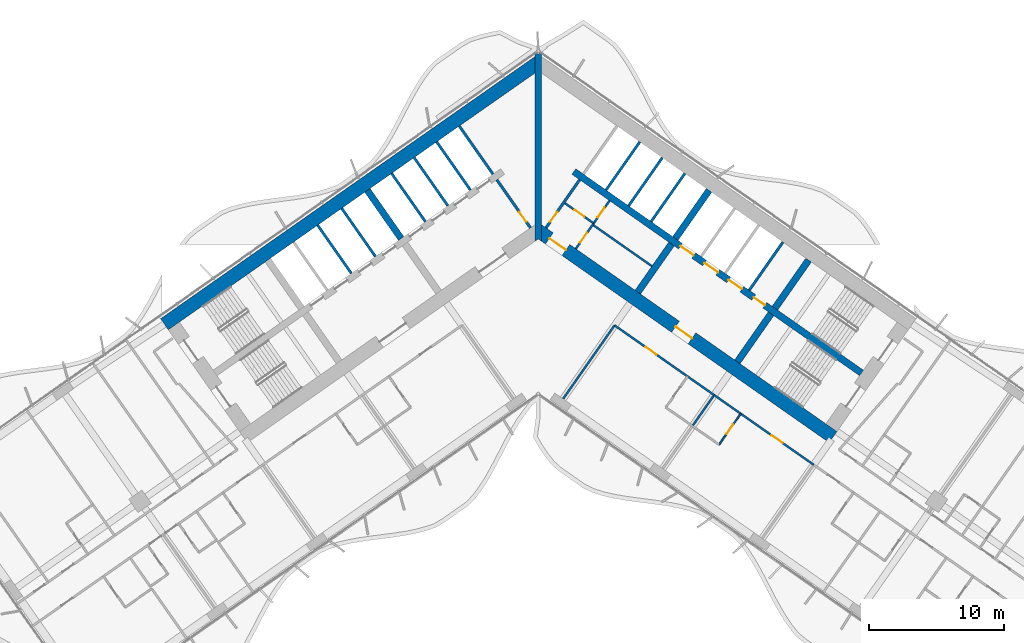
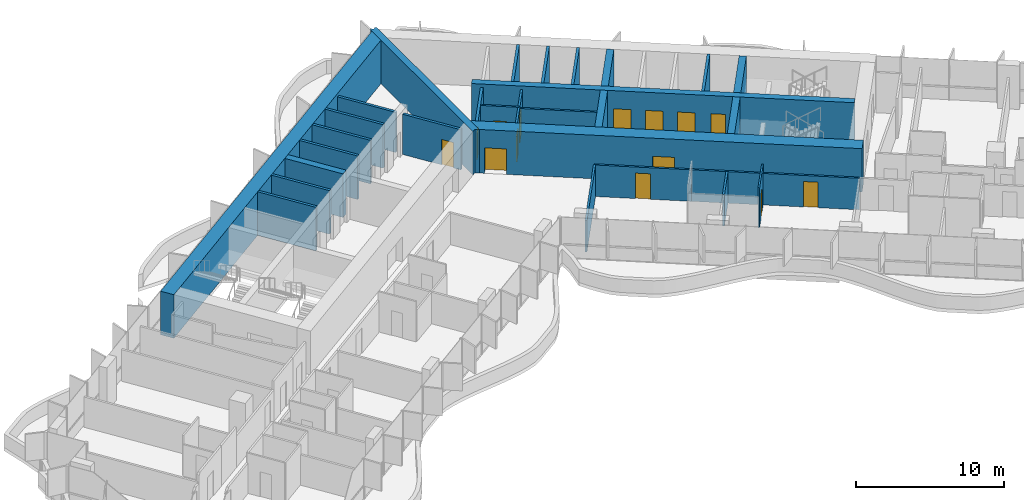
# One storey, part 15 of 24: 31 walls, 14 doors, 14 openings.
"""IFC4 building model written with IfcOpenShell, lengths in metres."""

from ifc_helpers import new_model, si_unit, direction, frame, frame_2d, origin, place, context, subcontext, project, spatial, polyline, rectangle, outline, extrude, material, layer, layer_set, type_object, element, fill, save


model = new_model("IFC4")

# Units and contexts
model_context = context("Model", 3, precision=1e-05, world=origin(), true_north=direction((0.0, 1.0)))
body_context = subcontext(model_context, "Body", "Model", "MODEL_VIEW")
ifc_project = project(units=[si_unit("LENGTHUNIT", "METRE"), si_unit("AREAUNIT", "SQUARE_METRE"), si_unit("VOLUMEUNIT", "CUBIC_METRE"), si_unit("PLANEANGLEUNIT", "RADIAN"), si_unit("MASSUNIT", "GRAM", prefix="KILO")], contexts=[model_context])

# Site, building, storey
site_placement = place(None, origin())
site = spatial("IfcSite", under=ifc_project, at=site_placement, CompositionType="ELEMENT")
building_placement = place(site_placement, origin())
building = spatial("IfcBuilding", under=site, at=building_placement, Name="Tel Ilan Convention Tower", CompositionType="ELEMENT")
storey_placement = place(building_placement, frame((0.0, 0.0, 72.5)))
storey = spatial("IfcBuildingStorey", under=building, at=storey_placement, Name="L13", CompositionType="ELEMENT", Elevation=72.5)

# Wall, openings, doors
ifc_material_1 = material(Name="Gypsum Plasterboard on Steel Stud", Category="steel")
ifc_layer_1 = layer(ifc_material_1, 0.14990234375)
ifc_layer_set_1 = layer_set([ifc_layer_1], Name="Core Room Partition Wall 150 mm EI 60")
wall_type_1 = type_object("IfcWallType", Name="Core Room Partition Wall 150 mm EI 60", PredefinedType="PARTITIONING", material=ifc_layer_set_1)
wall_1_placement = place(storey_placement, frame((2.78515625, -1.9501953125, 0.0), z_axis=(0.0, 0.0, 1.0), x_axis=(0.57356780395, 0.819158088694, 0.0)))
wall_1 = element("IfcWall", 1, at=wall_1_placement, inside=storey, type_object=wall_type_1, Name="L13 core wall wc-v1", PredefinedType="PARTITIONING", context=body_context, shape_type="SweptSolid", body=[
    extrude(rectangle(XDim=4.35009765625, YDim=0.14990234375, at=frame_2d((2.175048828125, 0.0))), origin(), (0.0, 0.0, 1.0), 3.320068359375),
])
opening_1_placement = place(wall_1_placement, frame((0.550048828125, 0.0, 0.0)))
opening_1 = element("IfcOpeningElement", 2, at=opening_1_placement, cuts=wall_1, Name="Opening CD1309", PredefinedType="OPENING", context=body_context, shape_type="SweptSolid", body=[
    extrude(rectangle(XDim=0.89990234375, YDim=2.10009765625, at=frame_2d((0.449951171875, 1.050048828125))), frame((0.0, 0.0849609375, 0.0), z_axis=(0.0, -1.0, 0.0), x_axis=(1.0, 0.0, 0.0)), (0.0, 0.0, 1.0), 0.169921875),
])
opening_2_placement = place(wall_1_placement, frame((2.824951171875, 0.0, 0.0)))
opening_2 = element("IfcOpeningElement", 3, at=opening_2_placement, cuts=wall_1, Name="Opening CD1310", PredefinedType="OPENING", context=body_context, shape_type="SweptSolid", body=[
    extrude(rectangle(XDim=0.89990234375, YDim=2.10009765625, at=frame_2d((0.449951171875, 1.050048828125))), frame((0.0, 0.0849609375, 0.0), z_axis=(0.0, -1.0, 0.0), x_axis=(1.0, 0.0, 0.0)), (0.0, 0.0, 1.0), 0.169921875),
])
ifc_material_2 = material(Name="Laminated Timber Door Leaf", Category="wood")
door_type_1 = type_object("IfcDoorType", Name="Toilet Door 900 x 2100 FD30S", OperationType="NOTDEFINED", PredefinedType="DOOR", material=ifc_material_2)
door_1_placement = place(opening_1_placement, origin())
door_1 = element("IfcDoor", 4, at=door_1_placement, inside=storey, type_object=door_type_1, Name="Women's WC door", OperationType="SINGLE_SWING_RIGHT", OverallHeight=2.10009765625, OverallWidth=0.89990234375, PredefinedType="DOOR", context=body_context, shape_type="SweptSolid", body=[
    extrude(rectangle(XDim=0.89990234375, YDim=2.10009765625, at=frame_2d((0.449951171875, 1.050048828125))), frame((0.0, 0.02490234375, 0.0), z_axis=(0.0, -1.0, 0.0), x_axis=(1.0, 0.0, 0.0)), (0.0, 0.0, 1.0), 0.050048828125),
])
fill(opening_1, door_1)
door_2_placement = place(opening_2_placement, origin())
door_2 = element("IfcDoor", 5, at=door_2_placement, inside=storey, type_object=door_type_1, Name="Men's WC door", OperationType="SINGLE_SWING_RIGHT", OverallHeight=2.10009765625, OverallWidth=0.89990234375, PredefinedType="DOOR", context=body_context, shape_type="SweptSolid", body=[
    extrude(rectangle(XDim=0.89990234375, YDim=2.10009765625, at=frame_2d((0.449951171875, 1.050048828125))), frame((0.0, 0.02490234375, 0.0), z_axis=(0.0, -1.0, 0.0), x_axis=(1.0, 0.0, 0.0)), (0.0, 0.0, 1.0), 0.050048828125),
])
fill(opening_2, door_2)

# Wall, opening, door
wall_2_placement = place(storey_placement, frame((1.974609375, 1.42529296875, 0.0), z_axis=(0.0, 0.0, 1.0), x_axis=(0.819103967032, -0.573645091666, 0.0)))
wall_2 = element("IfcWall", 6, at=wall_2_placement, inside=storey, type_object=wall_type_1, Name="L13 core wall wc-h1", PredefinedType="PARTITIONING", context=body_context, shape_type="SweptSolid", body=[
    extrude(rectangle(XDim=2.599853515625, YDim=0.14990234375, at=frame_2d((1.2998046875, 0.0))), origin(), (0.0, 0.0, 1.0), 3.320068359375),
])
opening_3_placement = place(wall_2_placement, frame((0.85009765625, 0.0, 0.0)))
opening_3 = element("IfcOpeningElement", 7, at=opening_3_placement, cuts=wall_2, Name="Opening CD1308", PredefinedType="OPENING", context=body_context, shape_type="SweptSolid", body=[
    extrude(rectangle(XDim=0.89990234375, YDim=2.10009765625, at=frame_2d((0.449951171875, 1.050048828125))), frame((0.0, 0.0849609375, 0.0), z_axis=(0.0, -1.0, 0.0), x_axis=(1.0, 0.0, 0.0)), (0.0, 0.0, 1.0), 0.169921875),
])
door_3_placement = place(opening_3_placement, origin())
door_3 = element("IfcDoor", 8, at=door_3_placement, inside=storey, type_object=door_type_1, Name="Accessible WC door", OperationType="SINGLE_SWING_RIGHT", OverallHeight=2.10009765625, OverallWidth=0.89990234375, PredefinedType="DOOR", context=body_context, shape_type="SweptSolid", body=[
    extrude(rectangle(XDim=0.89990234375, YDim=2.10009765625, at=frame_2d((0.449951171875, 1.050048828125))), frame((0.0, 0.02490234375, 0.0), z_axis=(0.0, -1.0, 0.0), x_axis=(1.0, 0.0, 0.0)), (0.0, 0.0, 1.0), 0.050048828125),
])
fill(opening_3, door_3)

# Wall
wall_3_placement = place(storey_placement, frame((4.03271484375, -0.16845703125, 0.0), z_axis=(0.0, 0.0, 1.0), x_axis=(0.819146154531, -0.573584847705, 0.0)))
element("IfcWall", 9, at=wall_3_placement, inside=storey, type_object=wall_type_1, Name="L13 core wall wc-h2", PredefinedType="PARTITIONING", context=body_context, shape_type="SweptSolid", body=[
    extrude(rectangle(XDim=5.349853515625, YDim=0.14990234375, at=frame_2d((2.6748046875, 0.0))), origin(), (0.0, 0.0, 1.0), 3.320068359375),
])

# Wall, opening, door
ifc_material_3 = material(Name="Concrete C30/37", Category="concrete")
ifc_layer_2 = layer(ifc_material_3, 0.199951171875)
ifc_layer_set_2 = layer_set([ifc_layer_2], Name="Core Service Room Wall 200 mm C30/37")
wall_type_2 = type_object("IfcWallType", Name="Core Service Room Wall 200 mm C30/37", PredefinedType="SOLIDWALL", material=ifc_layer_set_2)
wall_4_placement = place(storey_placement, frame((-0.573486328125, -0.401611328125, 0.0), z_axis=(0.0, 0.0, 1.0), x_axis=(-0.57356780395, 0.819158088694, 0.0)))
wall_4 = element("IfcWall", 10, at=wall_4_placement, inside=storey, type_object=wall_type_2, Name="L13 core wall apex-W", PredefinedType="SOLIDWALL", context=body_context, shape_type="SweptSolid", body=[
    extrude(rectangle(XDim=4.35009765625, YDim=0.199951171875, at=frame_2d((2.175048828125, 0.0))), origin(), (0.0, 0.0, 1.0), 3.320068359375),
])
opening_4_placement = place(wall_4_placement, frame((0.550048828125, 0.0, 0.0)))
opening_4 = element("IfcOpeningElement", 11, at=opening_4_placement, cuts=wall_4, Name="Opening CD1302", PredefinedType="OPENING", context=body_context, shape_type="SweptSolid", body=[
    extrude(rectangle(XDim=0.89990234375, YDim=2.10009765625, at=frame_2d((0.449951171875, 1.050048828125))), frame((0.0, 0.10986328125, 0.0), z_axis=(0.0, -1.0, 0.0), x_axis=(1.0, 0.0, 0.0)), (0.0, 0.0, 1.0), 0.219970703125),
])
ifc_material_4 = material(Name="Galvanised Steel Door Leaf", Category="steel")
door_type_2 = type_object("IfcDoorType", Name="Service Room Door 900 x 2100 FD60", OperationType="NOTDEFINED", PredefinedType="DOOR", material=ifc_material_4)
door_4_placement = place(opening_4_placement, origin())
door_4 = element("IfcDoor", 12, at=door_4_placement, inside=storey, type_object=door_type_2, Name="Electrical Room door", OperationType="SINGLE_SWING_RIGHT", OverallHeight=2.10009765625, OverallWidth=0.89990234375, PredefinedType="DOOR", context=body_context, shape_type="SweptSolid", body=[
    extrude(rectangle(XDim=0.89990234375, YDim=2.10009765625, at=frame_2d((0.449951171875, 1.050048828125))), frame((0.0, 0.02490234375, 0.0), z_axis=(0.0, -1.0, 0.0), x_axis=(1.0, 0.0, 0.0)), (0.0, 0.0, 1.0), 0.050048828125),
])
fill(opening_4, door_4)

# Wall
wall_5_placement = place(storey_placement, frame((-3.355224609375, 3.5712890625, 0.0), z_axis=(0.0, 0.0, 1.0), x_axis=(-0.57356780395, 0.819158088694, 0.0)))
element("IfcWall", 13, at=wall_5_placement, inside=storey, type_object=wall_type_2, Name="L13 core wall apex-W-b", PredefinedType="SOLIDWALL", context=body_context, shape_type="SweptSolid", body=[
    extrude(rectangle(XDim=4.35009765625, YDim=0.199951171875, at=frame_2d((2.175048828125, 0.0))), origin(), (0.0, 0.0, 1.0), 3.320068359375),
])

# Wall, opening, door
wall_6_placement = place(storey_placement, frame((0.573486328125, -0.401611328125, 0.0), z_axis=(0.0, 0.0, 1.0), x_axis=(0.57356780395, 0.819158088694, 0.0)))
wall_6 = element("IfcWall", 14, at=wall_6_placement, inside=storey, type_object=wall_type_2, Name="L13 core wall apex-E", PredefinedType="SOLIDWALL", context=body_context, shape_type="SweptSolid", body=[
    extrude(rectangle(XDim=4.35009765625, YDim=0.199951171875, at=frame_2d((2.175048828125, 0.0))), origin(), (0.0, 0.0, 1.0), 3.320068359375),
])
opening_5_placement = place(wall_6_placement, frame((0.550048828125, 0.0, 0.0)))
opening_5 = element("IfcOpeningElement", 15, at=opening_5_placement, cuts=wall_6, Name="Opening CD1301", PredefinedType="OPENING", context=body_context, shape_type="SweptSolid", body=[
    extrude(rectangle(XDim=0.89990234375, YDim=2.10009765625, at=frame_2d((0.449951171875, 1.050048828125))), frame((0.0, 0.10986328125, 0.0), z_axis=(0.0, -1.0, 0.0), x_axis=(1.0, 0.0, 0.0)), (0.0, 0.0, 1.0), 0.219970703125),
])
door_5_placement = place(opening_5_placement, origin())
door_5 = element("IfcDoor", 16, at=door_5_placement, inside=storey, type_object=door_type_2, Name="Store Room door", OperationType="SINGLE_SWING_RIGHT", OverallHeight=2.10009765625, OverallWidth=0.89990234375, PredefinedType="DOOR", context=body_context, shape_type="SweptSolid", body=[
    extrude(rectangle(XDim=0.89990234375, YDim=2.10009765625, at=frame_2d((0.449951171875, 1.050048828125))), frame((0.0, 0.02490234375, 0.0), z_axis=(0.0, -1.0, 0.0), x_axis=(1.0, 0.0, 0.0)), (0.0, 0.0, 1.0), 0.050048828125),
])
fill(opening_5, door_5)

# Wall
ifc_material_5 = material(Name="Concrete C60/75", Category="concrete")
ifc_layer_3 = layer(ifc_material_5, 1.0)
ifc_layer_set_3 = layer_set([ifc_layer_3], Name="Core Shear Wall 1000 mm C60/75")
wall_type_3 = type_object("IfcWallType", Name="Core Shear Wall 1000 mm C60/75", PredefinedType="SHEAR", material=ifc_layer_set_3)
wall_7_placement = place(storey_placement, frame((0.036865234375, 11.8671875, 0.0), z_axis=(0.0, 0.0, 1.0), x_axis=(-0.819155306259, -0.573571777746, 0.0)))
element("IfcWall", 17, at=wall_7_placement, inside=storey, type_object=wall_type_3, Name="L13 core wall W-back", PredefinedType="SHEAR", context=body_context, shape_type="SweptSolid", body=[
    extrude(outline(polyline([(33.8369140625, 0.5), (0.7001953125, 0.499755859375), (0.0, -0.5), (33.8369140625, -0.5), (33.8369140625, 0.5)])), origin(), (0.0, 0.0, 1.0), 3.60009765625),
])

# Wall, openings, doors
wall_8_placement = place(storey_placement, frame((-0.036865234375, -0.584716796875, 0.0), z_axis=(0.0, 0.0, 1.0), x_axis=(0.819157152511, -0.573569140985, 0.0)))
wall_8 = element("IfcWall", 18, at=wall_8_placement, inside=storey, type_object=wall_type_3, Name="L13 core wall E-front", PredefinedType="SHEAR", context=body_context, shape_type="SweptSolid", body=[
    extrude(outline(polyline([(26.69482421875, 0.499755859375), (0.0, 0.5), (0.7001953125, -0.499755859375), (26.69482421875, -0.500244140625), (26.69482421875, 0.499755859375)])), origin(), (0.0, 0.0, 1.0), 3.60009765625),
])
opening_6_placement = place(wall_8_placement, frame((1.044921875, 0.0, 0.0)))
opening_6 = element("IfcOpeningElement", 19, at=opening_6_placement, cuts=wall_8, Name="Opening CD1303", PredefinedType="OPENING", context=body_context, shape_type="SweptSolid", body=[
    extrude(rectangle(XDim=1.5, YDim=2.10009765625, at=frame_2d((0.75, 1.050048828125))), frame((0.0, 0.510009765625, 0.0), z_axis=(0.0, -1.0, 0.0), x_axis=(1.0, 0.0, 0.0)), (0.0, 0.0, 1.0), 1.02001953125),
])
opening_7_placement = place(wall_8_placement, frame((12.44482421875, 0.0, 0.0)))
opening_7 = element("IfcOpeningElement", 20, at=opening_7_placement, cuts=wall_8, Name="Opening CD1304", PredefinedType="OPENING", context=body_context, shape_type="SweptSolid", body=[
    extrude(rectangle(XDim=1.5, YDim=2.10009765625, at=frame_2d((0.75, 1.050048828125))), frame((0.0, 0.510009765625, 0.0), z_axis=(0.0, -1.0, 0.0), x_axis=(1.0, 0.0, 0.0)), (0.0, 0.0, 1.0), 1.02001953125),
])
ifc_material_6 = material(Name="Glazed Aluminium Door Leaf", Category="aluminium")
door_type_3 = type_object("IfcDoorType", Name="Lobby Opening Door 1500 x 2100 FD60S", OperationType="NOTDEFINED", PredefinedType="DOOR", material=ifc_material_6)
door_6_placement = place(opening_7_placement, origin())
door_6 = element("IfcDoor", 21, at=door_6_placement, inside=storey, type_object=door_type_3, Name="Firefighting Lobby door", OperationType="DOUBLE_DOOR_SINGLE_SWING", OverallHeight=2.10009765625, OverallWidth=1.5, PredefinedType="DOOR", context=body_context, shape_type="SweptSolid", body=[
    extrude(rectangle(XDim=1.5, YDim=2.10009765625, at=frame_2d((0.75, 1.050048828125))), frame((0.0, 0.02490234375, 0.0), z_axis=(0.0, -1.0, 0.0), x_axis=(1.0, 0.0, 0.0)), (0.0, 0.0, 1.0), 0.050048828125),
])
fill(opening_7, door_6)
ifc_material_7 = material(Name="Laminated Timber Door Leaf", Category="wood")
door_type_4 = type_object("IfcDoorType", Name="Toilet Door 1500 x 2100 FD30S", OperationType="NOTDEFINED", PredefinedType="DOOR", material=ifc_material_7)
door_7_placement = place(opening_6_placement, origin())
door_7 = element("IfcDoor", 22, at=door_7_placement, inside=storey, type_object=door_type_4, Name="WC Lobby door", OperationType="SINGLE_SWING_RIGHT", OverallHeight=2.10009765625, OverallWidth=1.5, PredefinedType="DOOR", context=body_context, shape_type="SweptSolid", body=[
    extrude(rectangle(XDim=1.5, YDim=2.10009765625, at=frame_2d((0.75, 1.050048828125))), frame((0.0, 0.02490234375, 0.0), z_axis=(0.0, -1.0, 0.0), x_axis=(1.0, 0.0, 0.0)), (0.0, 0.0, 1.0), 0.050048828125),
])
fill(opening_6, door_7)

# Walls
ifc_material_8 = material(Name="Concrete C60/75", Category="concrete")
ifc_layer_4 = layer(ifc_material_8, 0.5)
ifc_layer_set_4 = layer_set([ifc_layer_4], Name="Core Shear Wall 500 mm C60/75")
wall_type_4 = type_object("IfcWallType", Name="Core Shear Wall 500 mm C60/75", PredefinedType="SHEAR", material=ifc_layer_set_4)
wall_9_placement = place(storey_placement, frame((-10.154296875, -1.189208984375, 0.0), z_axis=(0.0, 0.0, 1.0), x_axis=(-0.573594173421, 0.819139624372, 0.0)))
element("IfcWall", 23, at=wall_9_placement, inside=storey, type_object=wall_type_4, Name="L13 core wall W-cross1-2", PredefinedType="SHEAR", context=body_context, shape_type="SweptSolid", body=[
    extrude(outline(polyline([(4.349853515625, -0.25), (4.349853515625, 0.25), (-0.000244140625, 0.25), (-0.000244140625, -0.25), (4.349853515625, -0.25)])), origin(), (0.0, 0.0, 1.0), 3.60009765625),
])
wall_10_placement = place(storey_placement, frame((7.372314453125, -5.162109375, 0.0), z_axis=(0.0, 0.0, 1.0), x_axis=(0.573594173421, 0.819139624372, 0.0)))
element("IfcWall", 24, at=wall_10_placement, inside=storey, type_object=wall_type_4, Name="L13 core wall E-cross1-1", PredefinedType="SHEAR", context=body_context, shape_type="SweptSolid", body=[
    extrude(outline(polyline([(0.0, 0.25), (0.0, -0.250244140625), (4.349853515625, -0.25), (4.349853515625, 0.25), (0.0, 0.25)])), origin(), (0.0, 0.0, 1.0), 3.60009765625),
])
wall_11_placement = place(storey_placement, frame((10.154296875, -1.189208984375, 0.0), z_axis=(0.0, 0.0, 1.0), x_axis=(0.573594173421, 0.819139624372, 0.0)))
element("IfcWall", 25, at=wall_11_placement, inside=storey, type_object=wall_type_4, Name="L13 core wall E-cross1-2", PredefinedType="SHEAR", context=body_context, shape_type="SweptSolid", body=[
    extrude(outline(polyline([(4.349853515625, -0.25), (4.349853515625, 0.25), (-0.000244140625, 0.25), (-0.000244140625, -0.25), (4.349853515625, -0.25)])), origin(), (0.0, 0.0, 1.0), 3.60009765625),
])
wall_12_placement = place(storey_placement, frame((14.74462890625, -10.324462890625, 0.0), z_axis=(0.0, 0.0, 1.0), x_axis=(0.57356780395, 0.819158088694, 0.0)))
element("IfcWall", 26, at=wall_12_placement, inside=storey, type_object=wall_type_4, Name="L13 core wall E-cross2-1", PredefinedType="SHEAR", context=body_context, shape_type="SweptSolid", body=[
    extrude(outline(polyline([(0.0, 0.25), (0.0, -0.25), (4.35009765625, -0.250244140625), (4.35009765625, 0.25), (0.0, 0.25)])), origin(), (0.0, 0.0, 1.0), 3.60009765625),
])
wall_13_placement = place(storey_placement, frame((17.526611328125, -6.3515625, 0.0), z_axis=(0.0, 0.0, 1.0), x_axis=(0.573530143085, 0.819184457233, 0.0)))
element("IfcWall", 27, at=wall_13_placement, inside=storey, type_object=wall_type_4, Name="L13 core wall E-cross2-2", PredefinedType="SHEAR", context=body_context, shape_type="SweptSolid", body=[
    extrude(outline(polyline([(4.35009765625, -0.250244140625), (4.35009765625, 0.249755859375), (0.0, 0.25), (0.0, -0.25), (4.35009765625, -0.250244140625)])), origin(), (0.0, 0.0, 1.0), 3.60009765625),
])

# Wall, openings, doors
wall_14_placement = place(storey_placement, frame((2.638427734375, 3.76806640625, 0.0), z_axis=(0.0, 0.0, 1.0), x_axis=(0.819148977158, -0.573580816643, 0.0)))
wall_14 = element("IfcWall", 28, at=wall_14_placement, inside=storey, type_object=wall_type_4, Name="L13 core wall E-spine", PredefinedType="SHEAR", context=body_context, shape_type="SweptSolid", body=[
    extrude(outline(polyline([(0.0, 0.25), (0.0, -0.25), (26.0, -0.249755859375), (26.0, 0.250244140625), (0.0, 0.25)])), origin(), (0.0, 0.0, 1.0), 3.60009765625),
])
opening_8_placement = place(wall_14_placement, frame((9.637451171875, 0.0, 0.0)))
opening_8 = element("IfcOpeningElement", 29, at=opening_8_placement, cuts=wall_14, Name="Opening LD1301", PredefinedType="OPENING", context=body_context, shape_type="SweptSolid", body=[
    extrude(rectangle(XDim=1.199951171875, YDim=2.10009765625, at=frame_2d((0.60009765625, 1.050048828125))), frame((0.0, 0.260009765625, 0.0), z_axis=(0.0, -1.0, 0.0), x_axis=(1.0, 0.0, 0.0)), (0.0, 0.0, 1.0), 0.52001953125),
])
opening_9_placement = place(wall_14_placement, frame((11.8125, 0.0, 0.0)))
opening_9 = element("IfcOpeningElement", 30, at=opening_9_placement, cuts=wall_14, Name="Opening LD1302", PredefinedType="OPENING", context=body_context, shape_type="SweptSolid", body=[
    extrude(rectangle(XDim=1.199951171875, YDim=2.10009765625, at=frame_2d((0.60009765625, 1.050048828125))), frame((0.0, 0.260009765625, 0.0), z_axis=(0.0, -1.0, 0.0), x_axis=(1.0, 0.0, 0.0)), (0.0, 0.0, 1.0), 0.52001953125),
])
opening_10_placement = place(wall_14_placement, frame((13.987548828125, 0.0, 0.0)))
opening_10 = element("IfcOpeningElement", 31, at=opening_10_placement, cuts=wall_14, Name="Opening LD1303", PredefinedType="OPENING", context=body_context, shape_type="SweptSolid", body=[
    extrude(rectangle(XDim=1.199951171875, YDim=2.10009765625, at=frame_2d((0.60009765625, 1.050048828125))), frame((0.0, 0.260009765625, 0.0), z_axis=(0.0, -1.0, 0.0), x_axis=(1.0, 0.0, 0.0)), (0.0, 0.0, 1.0), 0.52001953125),
])
opening_11_placement = place(wall_14_placement, frame((16.262451171875, 0.0, 0.0)))
opening_11 = element("IfcOpeningElement", 32, at=opening_11_placement, cuts=wall_14, Name="Opening CD1307", PredefinedType="OPENING", context=body_context, shape_type="SweptSolid", body=[
    extrude(rectangle(XDim=1.0, YDim=2.10009765625, at=frame_2d((0.5, 1.050048828125))), frame((0.0, 0.260009765625, 0.0), z_axis=(0.0, -1.0, 0.0), x_axis=(1.0, 0.0, 0.0)), (0.0, 0.0, 1.0), 0.52001953125),
])
ifc_material_9 = material(Name="Stainless Steel Sliding Door Leaf", Category="steel")
door_type_5 = type_object("IfcDoorType", Name="Lift Landing Door 1200 x 2100 FD120", OperationType="NOTDEFINED", PredefinedType="DOOR", material=ifc_material_9)
door_8_placement = place(opening_8_placement, origin())
door_8 = element("IfcDoor", 33, at=door_8_placement, inside=storey, type_object=door_type_5, Name="Lift FL1 landing door", OperationType="SLIDING_TO_LEFT", OverallHeight=2.10009765625, OverallWidth=1.199951171875, PredefinedType="DOOR", context=body_context, shape_type="SweptSolid", body=[
    extrude(rectangle(XDim=1.199951171875, YDim=2.10009765625, at=frame_2d((0.60009765625, 1.050048828125))), frame((0.0, 0.02490234375, 0.0), z_axis=(0.0, -1.0, 0.0), x_axis=(1.0, 0.0, 0.0)), (0.0, 0.0, 1.0), 0.050048828125),
])
fill(opening_8, door_8)
door_9_placement = place(opening_9_placement, origin())
door_9 = element("IfcDoor", 34, at=door_9_placement, inside=storey, type_object=door_type_5, Name="Lift FL2 landing door", OperationType="SLIDING_TO_RIGHT", OverallHeight=2.10009765625, OverallWidth=1.199951171875, PredefinedType="DOOR", context=body_context, shape_type="SweptSolid", body=[
    extrude(rectangle(XDim=1.199951171875, YDim=2.10009765625, at=frame_2d((0.60009765625, 1.050048828125))), frame((0.0, 0.02490234375, 0.0), z_axis=(0.0, -1.0, 0.0), x_axis=(1.0, 0.0, 0.0)), (0.0, 0.0, 1.0), 0.050048828125),
])
fill(opening_9, door_9)
door_10_placement = place(opening_10_placement, origin())
door_10 = element("IfcDoor", 35, at=door_10_placement, inside=storey, type_object=door_type_5, Name="Lift FL3 landing door", OperationType="SLIDING_TO_LEFT", OverallHeight=2.10009765625, OverallWidth=1.199951171875, PredefinedType="DOOR", context=body_context, shape_type="SweptSolid", body=[
    extrude(rectangle(XDim=1.199951171875, YDim=2.10009765625, at=frame_2d((0.60009765625, 1.050048828125))), frame((0.0, 0.02490234375, 0.0), z_axis=(0.0, -1.0, 0.0), x_axis=(1.0, 0.0, 0.0)), (0.0, 0.0, 1.0), 0.050048828125),
])
fill(opening_10, door_10)
ifc_material_10 = material(Name="Galvanised Steel Door Leaf", Category="steel")
door_type_6 = type_object("IfcDoorType", Name="Service Room Door 1000 x 2100 FD60", OperationType="NOTDEFINED", PredefinedType="DOOR", material=ifc_material_10)
door_11_placement = place(opening_11_placement, origin())
door_11 = element("IfcDoor", 36, at=door_11_placement, inside=storey, type_object=door_type_6, Name="Plant Room door", OperationType="SINGLE_SWING_RIGHT", OverallHeight=2.10009765625, OverallWidth=1.0, PredefinedType="DOOR", context=body_context, shape_type="SweptSolid", body=[
    extrude(rectangle(XDim=1.0, YDim=2.10009765625, at=frame_2d((0.5, 1.050048828125))), frame((0.0, 0.02490234375, 0.0), z_axis=(0.0, -1.0, 0.0), x_axis=(1.0, 0.0, 0.0)), (0.0, 0.0, 1.0), 0.050048828125),
])
fill(opening_11, door_11)

# Wall
wall_15_placement = place(storey_placement, frame((0.0, -1.395751953125, 0.0), z_axis=(0.0, 0.0, 1.0), x_axis=(0.0, 1.0, 0.0)))
element("IfcWall", 37, at=wall_15_placement, inside=storey, type_object=wall_type_4, Name="L13 core wall K-central", PredefinedType="SHEAR", context=body_context, shape_type="SweptSolid", body=[
    extrude(outline(polyline([(0.0, -0.25), (0.175048828125, -0.25), (1.220703125, -0.25), (12.451904296875, -0.25), (13.84765625, -0.25), (13.85693359375, -0.25), (13.96826171875, -0.172119140625), (13.84765625, 0.0), (13.96826171875, 0.172119140625), (13.85693359375, 0.25), (13.84765625, 0.25), (12.451904296875, 0.25), (1.220703125, 0.25), (0.175048828125, 0.25), (0.0, 0.25), (0.175048828125, 0.0), (0.0, -0.25)])), origin(), (0.0, 0.0, 1.0), 3.60009765625),
])

# Wall, opening, door
ifc_material_11 = material(Name="Plasterboard on Steel Studs", Category="steel")
ifc_layer_5 = layer(ifc_material_11, 0.14990234375)
ifc_layer_set_5 = layer_set([ifc_layer_5], Name="Fire-rated Partition 150 EI 60")
wall_type_5 = type_object("IfcWallType", Name="Fire-rated Partition 150 EI 60", PredefinedType="PARTITIONING", material=ifc_layer_set_5)
wall_16_placement = place(storey_placement, frame((11.058837890625, -11.40576171875, 0.0), z_axis=(0.0, 0.0, 1.0), x_axis=(-0.819155459934, 0.573571558274, 0.0)))
wall_16 = element("IfcWall", 38, at=wall_16_placement, inside=storey, type_object=wall_type_5, Name="Partition 009", PredefinedType="PARTITIONING", context=body_context, shape_type="SweptSolid", body=[
    extrude(rectangle(XDim=6.60107421875, YDim=0.14990234375, at=frame_2d((3.300537109375, 0.0))), origin(), (0.0, 0.0, 1.0), 2.60009765625),
])
opening_12_placement = place(wall_16_placement, frame((2.801025390625, 0.0, 0.0)))
opening_12 = element("IfcOpeningElement", 39, at=opening_12_placement, cuts=wall_16, Name="Opening L13-020", PredefinedType="OPENING", context=body_context, shape_type="SweptSolid", body=[
    extrude(rectangle(XDim=1.0, YDim=2.10009765625, at=frame_2d((0.5, 1.050048828125))), frame((0.0, 0.0849609375, 0.0), z_axis=(0.0, -1.0, 0.0), x_axis=(1.0, 0.0, 0.0)), (0.0, 0.0, 1.0), 0.169921875),
])
ifc_material_12 = material(Name="Timber Door Leaf in Steel Frame", Category="steel")
door_type_7 = type_object("IfcDoorType", Name="Hotel Room Entrance Fire Door 1000x2100", OperationType="NOTDEFINED", PredefinedType="DOOR", material=ifc_material_12)
door_12_placement = place(opening_12_placement, origin())
door_12 = element("IfcDoor", 40, at=door_12_placement, inside=storey, type_object=door_type_7, Name="Door L13-020", OperationType="SINGLE_SWING_LEFT", OverallHeight=2.10009765625, OverallWidth=1.0, PredefinedType="DOOR", context=body_context, shape_type="SweptSolid", body=[
    extrude(rectangle(XDim=1.0, YDim=2.10009765625, at=frame_2d((0.5, 1.050048828125))), frame((0.0, 0.02490234375, 0.0), z_axis=(0.0, -1.0, 0.0), x_axis=(1.0, 0.0, 0.0)), (0.0, 0.0, 1.0), 0.050048828125),
])
fill(opening_12, door_12)

# Wall
wall_17_placement = place(storey_placement, frame((13.025634765625, -12.782958984375, 0.0), z_axis=(0.0, 0.0, 1.0), x_axis=(-0.819146032251, 0.573585022335, 0.0)))
element("IfcWall", 41, at=wall_17_placement, inside=storey, type_object=wall_type_5, Name="Partition 010", PredefinedType="PARTITIONING", context=body_context, shape_type="SweptSolid", body=[
    extrude(rectangle(XDim=2.404052734375, YDim=0.14990234375, at=frame_2d((1.2021484375, 0.0))), origin(), (0.0, 0.0, 1.0), 2.60009765625),
])

# Wall, opening, door
wall_18_placement = place(storey_placement, frame((20.39794921875, -17.9453125, 0.0), z_axis=(0.0, 0.0, 1.0), x_axis=(-0.819124209701, 0.57361618621, 0.0)))
wall_18 = element("IfcWall", 42, at=wall_18_placement, inside=storey, type_object=wall_type_5, Name="Partition 011", PredefinedType="PARTITIONING", context=body_context, shape_type="SweptSolid", body=[
    extrude(rectangle(XDim=6.60302734375, YDim=0.14990234375, at=frame_2d((3.301513671875, 0.0))), origin(), (0.0, 0.0, 1.0), 2.60009765625),
])
opening_13_placement = place(wall_18_placement, frame((2.802001953125, 0.0, 0.0)))
opening_13 = element("IfcOpeningElement", 43, at=opening_13_placement, cuts=wall_18, Name="Opening L13-022", PredefinedType="OPENING", context=body_context, shape_type="SweptSolid", body=[
    extrude(rectangle(XDim=1.0, YDim=2.10009765625, at=frame_2d((0.5, 1.050048828125))), frame((0.0, 0.0849609375, 0.0), z_axis=(0.0, -1.0, 0.0), x_axis=(1.0, 0.0, 0.0)), (0.0, 0.0, 1.0), 0.169921875),
])
door_13_placement = place(opening_13_placement, origin())
door_13 = element("IfcDoor", 44, at=door_13_placement, inside=storey, type_object=door_type_7, Name="Door L13-022", OperationType="SINGLE_SWING_LEFT", OverallHeight=2.10009765625, OverallWidth=1.0, PredefinedType="DOOR", context=body_context, shape_type="SweptSolid", body=[
    extrude(rectangle(XDim=1.0, YDim=2.10009765625, at=frame_2d((0.5, 1.050048828125))), frame((0.0, 0.02490234375, 0.0), z_axis=(0.0, -1.0, 0.0), x_axis=(1.0, 0.0, 0.0)), (0.0, 0.0, 1.0), 0.050048828125),
])
fill(opening_13, door_13)

# Walls
wall_19_placement = place(storey_placement, frame((14.99169921875, -14.15966796875, 0.0), z_axis=(0.0, 0.0, 1.0), x_axis=(-0.819146032251, 0.573585022335, 0.0)))
element("IfcWall", 45, at=wall_19_placement, inside=storey, type_object=wall_type_5, Name="Partition 012", PredefinedType="PARTITIONING", context=body_context, shape_type="SweptSolid", body=[
    extrude(rectangle(XDim=2.404052734375, YDim=0.14990234375, at=frame_2d((1.2021484375, 0.0))), origin(), (0.0, 0.0, 1.0), 2.60009765625),
])
wall_20_placement = place(storey_placement, frame((1.848876953125, -13.050537109375, 0.0), z_axis=(0.0, 0.0, 1.0), x_axis=(0.57357355307, 0.819154063177, 0.0)))
element("IfcWall", 46, at=wall_20_placement, inside=storey, type_object=wall_type_5, Name="Partition 057", PredefinedType="PARTITIONING", context=body_context, shape_type="SweptSolid", body=[
    extrude(rectangle(XDim=6.6298828125, YDim=0.14990234375, at=frame_2d((3.31494140625, 0.0))), origin(), (0.0, 0.0, 1.0), 2.60009765625),
])
wall_21_placement = place(storey_placement, frame((13.02392578125, -12.78173828125, 0.0), z_axis=(0.0, 0.0, 1.0), x_axis=(-0.573550118428, -0.819170471667, 0.0)))
element("IfcWall", 47, at=wall_21_placement, inside=storey, type_object=wall_type_5, Name="Partition 058", PredefinedType="PARTITIONING", context=body_context, shape_type="SweptSolid", body=[
    extrude(rectangle(XDim=2.800048828125, YDim=0.14990234375, at=frame_2d((1.39990234375, 0.0))), origin(), (0.0, 0.0, 1.0), 2.60009765625),
])
ifc_material_13 = material(Name="Concrete C30/37", Category="concrete")
ifc_layer_6 = layer(ifc_material_13, 0.199951171875)
ifc_layer_set_6 = layer_set([ifc_layer_6], Name="Lift Shaft Wall 200 mm C30/37")
wall_type_6 = type_object("IfcWallType", Name="Lift Shaft Wall 200 mm C30/37", PredefinedType="SOLIDWALL", material=ifc_layer_set_6)
wall_22_placement = place(storey_placement, frame((-5.0244140625, 2.402587890625, 0.0), z_axis=(0.0, 0.0, 1.0), x_axis=(-0.573530143085, 0.819184457233, 0.0)))
element("IfcWall", 48, at=wall_22_placement, inside=storey, type_object=wall_type_6, Name="L13 core wall bank-W1-p0", PredefinedType="SOLIDWALL", context=body_context, shape_type="SweptSolid", body=[
    extrude(rectangle(XDim=4.35009765625, YDim=0.199951171875, at=frame_2d((2.175048828125, 0.0))), origin(), (0.0, 0.0, 1.0), 3.60009765625),
])
for number, where, z_axis, x_axis, name in (
    (49, (-6.693359375, 1.234130859375, 0.0), (0.0, 0.0, 1.0), (-0.573594173421, 0.819139624372, 0.0), "L13 core wall bank-W1-p1"),
    (50, (-8.3623046875, 0.0654296875, 0.0), (0.0, 0.0, 1.0), (-0.573594173421, 0.819139624372, 0.0), "L13 core wall bank-W1-p2"),
    (51, (-12.05859375, -2.52294921875, 0.0), (0.0, 0.0, 1.0), (-0.573594173421, 0.819139624372, 0.0), "L13 core wall bank-W2-p0"),
):
    element("IfcWall", number, at=place(storey_placement, frame(where, z_axis=z_axis, x_axis=x_axis)), inside=storey, type_object=wall_type_6, Name=name, PredefinedType="SOLIDWALL", context=body_context, shape_type="SweptSolid", body=[
        extrude(rectangle(XDim=4.349853515625, YDim=0.199951171875, at=frame_2d((2.1748046875, 0.0))), origin(), (0.0, 0.0, 1.0), 3.60009765625),
    ])
for number, where, z_axis, x_axis, name in (
    (52, (-13.84033203125, -3.7705078125, 0.0), (0.0, 0.0, 1.0), (-0.57356780395, 0.819158088694, 0.0), "L13 core wall bank-W2-p1"),
    (53, (5.0244140625, 2.402587890625, 0.0), (0.0, 0.0, 1.0), (0.573530143085, 0.819184457233, 0.0), "L13 core wall bank-E1-p0"),
):
    element("IfcWall", number, at=place(storey_placement, frame(where, z_axis=z_axis, x_axis=x_axis)), inside=storey, type_object=wall_type_6, Name=name, PredefinedType="SOLIDWALL", context=body_context, shape_type="SweptSolid", body=[
        extrude(rectangle(XDim=4.35009765625, YDim=0.199951171875, at=frame_2d((2.175048828125, 0.0))), origin(), (0.0, 0.0, 1.0), 3.60009765625),
    ])
for number, where, z_axis, x_axis, name in (
    (54, (6.693359375, 1.234130859375, 0.0), (0.0, 0.0, 1.0), (0.573594173421, 0.819139624372, 0.0), "L13 core wall bank-E1-p1"),
    (55, (8.3623046875, 0.0654296875, 0.0), (0.0, 0.0, 1.0), (0.573594173421, 0.819139624372, 0.0), "L13 core wall bank-E1-p2"),
    (56, (15.6220703125, -5.017822265625, 0.0), (0.0, 0.0, 1.0), (0.573594173421, 0.819139624372, 0.0), "L13 core wall bank-E2-p2"),
):
    element("IfcWall", number, at=place(storey_placement, frame(where, z_axis=z_axis, x_axis=x_axis)), inside=storey, type_object=wall_type_6, Name=name, PredefinedType="SOLIDWALL", context=body_context, shape_type="SweptSolid", body=[
        extrude(rectangle(XDim=4.349853515625, YDim=0.199951171875, at=frame_2d((2.1748046875, 0.0))), origin(), (0.0, 0.0, 1.0), 3.60009765625),
    ])

# Wall, opening, door
ifc_material_14 = material(Name="Plasterboard on Steel Studs", Category="steel")
ifc_layer_7 = layer(ifc_material_14, 0.1201171875)
ifc_layer_set_7 = layer_set([ifc_layer_7], Name="Moisture-resistant Partition 120")
wall_type_7 = type_object("IfcWallType", Name="Moisture-resistant Partition 120", PredefinedType="PARTITIONING", material=ifc_layer_set_7)
wall_23_placement = place(storey_placement, frame((13.384765625, -16.45263671875, 0.0), z_axis=(0.0, 0.0, 1.0), x_axis=(0.573550118428, 0.819170471667, 0.0)))
wall_23 = element("IfcWall", 57, at=wall_23_placement, inside=storey, type_object=wall_type_7, Name="Partition 060", PredefinedType="PARTITIONING", context=body_context, shape_type="SweptSolid", body=[
    extrude(rectangle(XDim=2.800048828125, YDim=0.1201171875, at=frame_2d((1.39990234375, 0.0))), origin(), (0.0, 0.0, 1.0), 3.320068359375),
])
opening_14_placement = place(wall_23_placement, frame((0.97509765625, 0.0, 0.0)))
opening_14 = element("IfcOpeningElement", 58, at=opening_14_placement, cuts=wall_23, Name="Opening L13-021", PredefinedType="OPENING", context=body_context, shape_type="SweptSolid", body=[
    extrude(rectangle(XDim=0.85009765625, YDim=2.050048828125, at=frame_2d((0.425048828125, 1.02490234375))), frame((0.0, 0.070068359375, 0.0), z_axis=(0.0, -1.0, 0.0), x_axis=(1.0, 0.0, 0.0)), (0.0, 0.0, 1.0), 0.14013671875),
])
ifc_material_15 = material(Name="Timber Door Leaf in Steel Frame", Category="steel")
door_type_8 = type_object("IfcDoorType", Name="Bathroom Timber Door 850x2050", OperationType="NOTDEFINED", PredefinedType="DOOR", material=ifc_material_15)
door_14_placement = place(opening_14_placement, origin())
door_14 = element("IfcDoor", 59, at=door_14_placement, inside=storey, type_object=door_type_8, Name="Door L13-021", OperationType="SINGLE_SWING_LEFT", OverallHeight=2.050048828125, OverallWidth=0.85009765625, PredefinedType="DOOR", context=body_context, shape_type="SweptSolid", body=[
    extrude(rectangle(XDim=0.85009765625, YDim=2.050048828125, at=frame_2d((0.425048828125, 1.02490234375))), frame((0.0, 0.02490234375, 0.0), z_axis=(0.0, -1.0, 0.0), x_axis=(1.0, 0.0, 0.0)), (0.0, 0.0, 1.0), 0.050048828125),
])
fill(opening_14, door_14)

save(model, "model.ifc")
